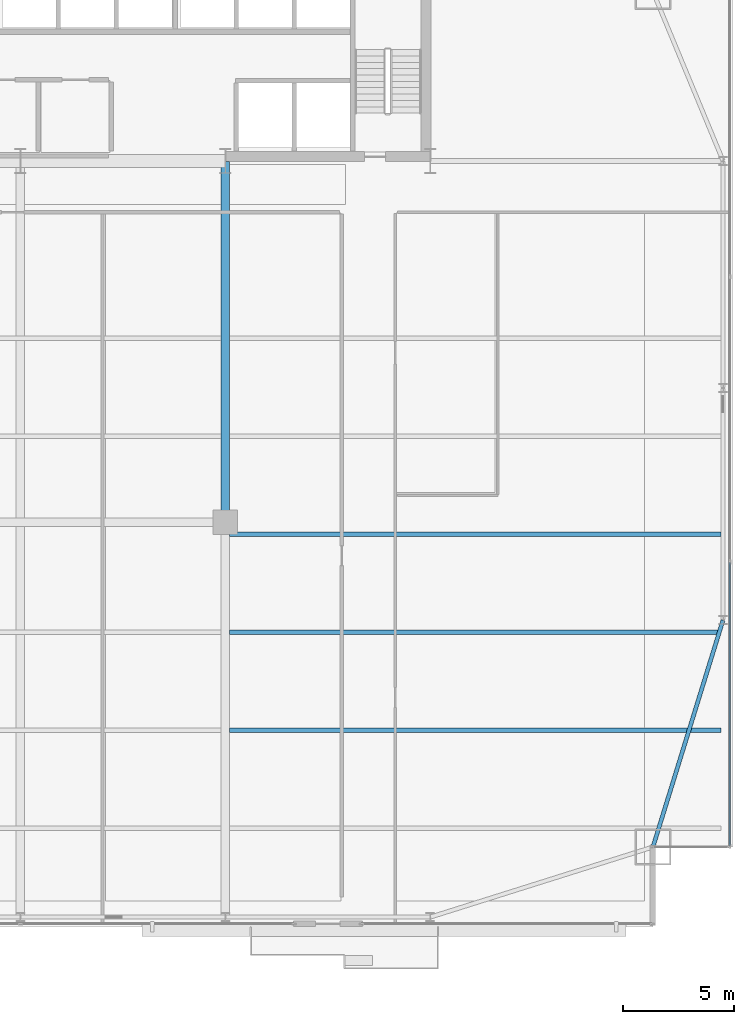
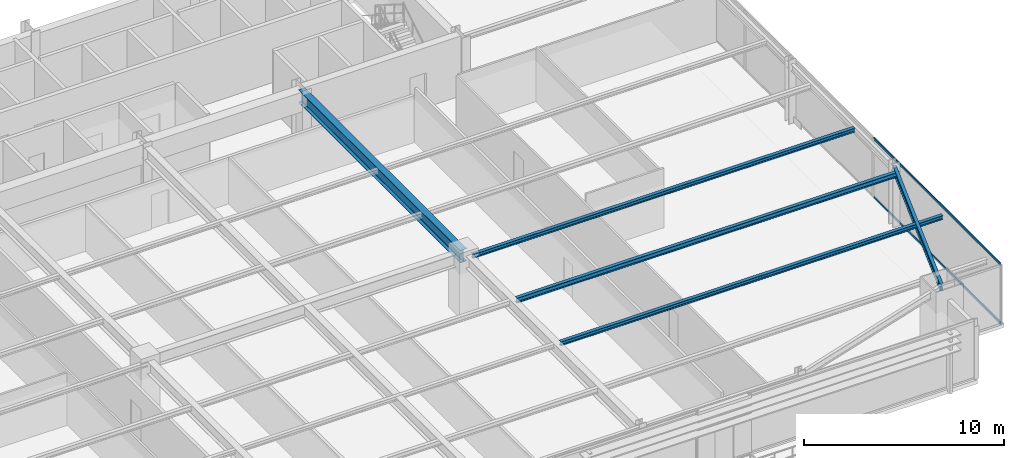
# One storey, part 15 of 31: 5 beams, 2 members, 1 element without a shape of its own.
"""IFC4 building model written with IfcOpenShell, lengths in metres."""

from ifc_helpers import new_model, si_unit, direction, frame, origin, origin_2d, place, context, subcontext, project, spatial, hollow_rectangle, i_section, extrude, source, transform, mapped, material, layer, layer_set, material_profile, profile_set, type_object, type_shapes, element, aggregate, save


model = new_model("IFC4")

# Units and contexts
model_context = context("Model", 3, precision=1e-05, world=origin(), true_north=direction((0.0, 1.0)))
body_context = subcontext(model_context, "Body", "Model", "MODEL_VIEW")
ifc_project = project(units=[si_unit("LENGTHUNIT", "METRE"), si_unit("AREAUNIT", "SQUARE_METRE"), si_unit("VOLUMEUNIT", "CUBIC_METRE"), si_unit("PLANEANGLEUNIT", "RADIAN"), si_unit("MASSUNIT", "GRAM", prefix="KILO")], contexts=[model_context])

# Site, building, storey
site_placement = place(None, origin())
site = spatial("IfcSite", under=ifc_project, at=site_placement, CompositionType="ELEMENT")
building_placement = place(site_placement, origin())
building = spatial("IfcBuilding", under=site, at=building_placement, Name="Varnel Quay Broadcast Tower", CompositionType="ELEMENT")
storey_placement = place(building_placement, frame((0.0, 0.0, 35.39990234375)))
storey = spatial("IfcBuildingStorey", under=building, at=storey_placement, Name="L07", CompositionType="ELEMENT", Elevation=35.39990234375)

# Beams
ifc_material_1 = material(Name="Structural Steel CSA G40.21 350W", Category="steel")
ifc_material_profile_1 = material_profile(ifc_material_1, i_section(OverallWidth=0.180908203125, OverallDepth=0.4169921875, WebThickness=0.010986328125, FlangeThickness=0.018310546875, FilletRadius=0.011962890625, at=origin_2d()), Name="W410X85")
ifc_profile_set_1 = profile_set([ifc_material_profile_1], Name="Structural Steel CSA G40.21 350W")
beam_type_1 = type_object("IfcBeamType", Name="Beam_W410X85", PredefinedType="SPANDREL", material=ifc_profile_set_1)
shared_shape_1 = source(origin(), body_context, "Body", "SweptSolid", [
    extrude(i_section(OverallWidth=0.180908203125, OverallDepth=0.4169921875, WebThickness=0.010986328125, FlangeThickness=0.018310546875, FilletRadius=0.011962890625, at=origin_2d()), origin(), (0.0, 0.0, 1.0), 10.635498046875),
])
type_shapes(beam_type_1, [shared_shape_1])
beam_1_placement = place(storey_placement, frame((62.406005859375, 4.819091796875, 3.441650390625), z_axis=(0.295069676324, 0.955475738108, 0.0), x_axis=(-0.955475738108, 0.295069676324, 0.0)))
element("IfcBeam", 1, at=beam_1_placement, inside=storey, type_object=beam_type_1, Name="L07 East Spandrel MC-SE-TC-E1", PredefinedType="SPANDREL", context=body_context, shape_type="MappedRepresentation", body=[
    mapped(shared_shape_1, transform((0.0, 0.0, 0.0), x_axis=(1.0, 0.0, 0.0), y_axis=(0.0, 1.0, 0.0), z_axis=(0.0, 0.0, 1.0), scale=1.0)),
])
ifc_material_profile_2 = material_profile(ifc_material_1, i_section(OverallWidth=0.381103515625, OverallDepth=0.77294921875, WebThickness=0.0166015625, FlangeThickness=0.027587890625, FilletRadius=0.01806640625, at=origin_2d()), Name="W760X257")
ifc_profile_set_2 = profile_set([ifc_material_profile_2], Name="Structural Steel CSA G40.21 350W")
beam_type_2 = type_object("IfcBeamType", Name="Girder_W760X257", PredefinedType="BEAM", material=ifc_profile_set_2)
shared_shape_2 = source(origin(), body_context, "Body", "SweptSolid", [
    extrude(i_section(OverallWidth=0.381103515625, OverallDepth=0.77294921875, WebThickness=0.0166015625, FlangeThickness=0.027587890625, FilletRadius=0.01806640625, at=origin_2d()), origin(), (0.0, 0.0, 1.0), 16.190185546875),
])
type_shapes(beam_type_2, [shared_shape_2])
beam_2_placement = place(storey_placement, frame((43.199951171875, 19.389892578125, 3.263671875), z_axis=(0.0, 1.0, 0.0), x_axis=(-1.0, 0.0, 0.0)))
element("IfcBeam", 2, at=beam_2_placement, inside=storey, type_object=beam_type_2, Name="L07 Primary Girder IC-02-CC-S4", PredefinedType="BEAM", context=body_context, shape_type="MappedRepresentation", body=[
    mapped(shared_shape_2, transform((0.0, 0.0, 0.0), x_axis=(1.0, 0.0, 0.0), y_axis=(0.0, 1.0, 0.0), z_axis=(0.0, 0.0, 1.0), scale=1.0)),
])
ifc_material_profile_3 = material_profile(ifc_material_1, i_section(OverallWidth=0.202880859375, OverallDepth=0.302978515625, WebThickness=0.007568359375, FlangeThickness=0.01318359375, FilletRadius=0.011962890625, at=origin_2d()), Name="W310X60")
ifc_profile_set_3 = profile_set([ifc_material_profile_3], Name="Structural Steel CSA G40.21 350W")
beam_type_3 = type_object("IfcBeamType", Name="Beam_W310X60", PredefinedType="JOIST", material=ifc_profile_set_3)
shared_shape_3 = source(origin(), body_context, "Body", "SweptSolid", [
    extrude(i_section(OverallWidth=0.202880859375, OverallDepth=0.302978515625, WebThickness=0.007568359375, FlangeThickness=0.01318359375, FilletRadius=0.011962890625, at=origin_2d()), origin(), (0.0, 0.0, 1.0), 22.0791015625),
])
type_shapes(beam_type_3, [shared_shape_3])
beam_3_placement = place(storey_placement, frame((43.385498046875, 14.449951171875, 3.49853515625), z_axis=(1.0, 0.0, 0.0), x_axis=(0.0, 1.0, 0.0)))
element("IfcBeam", 3, at=beam_3_placement, inside=storey, type_object=beam_type_3, Name="L07 East Floor Joist 3", PredefinedType="JOIST", context=body_context, shape_type="MappedRepresentation", body=[
    mapped(shared_shape_3, transform((0.0, 0.0, 0.0), x_axis=(1.0, 0.0, 0.0), y_axis=(0.0, 1.0, 0.0), z_axis=(0.0, 0.0, 1.0), scale=1.0)),
])
ifc_material_profile_4 = material_profile(ifc_material_1, i_section(OverallWidth=0.201904296875, OverallDepth=0.2470703125, WebThickness=0.00732421875, FlangeThickness=0.010986328125, FilletRadius=0.010986328125, at=origin_2d()), Name="W250X49")
ifc_profile_set_4 = profile_set([ifc_material_profile_4], Name="Structural Steel CSA G40.21 350W")
beam_type_4 = type_object("IfcBeamType", Name="Beam_W250X49", PredefinedType="JOIST", material=ifc_profile_set_4)
shared_shape_4 = source(origin(), body_context, "Body", "SweptSolid", [
    extrude(i_section(OverallWidth=0.201904296875, OverallDepth=0.2470703125, WebThickness=0.00732421875, FlangeThickness=0.010986328125, FilletRadius=0.010986328125, at=origin_2d()), origin(), (0.0, 0.0, 1.0), 22.0791015625),
])
type_shapes(beam_type_4, [shared_shape_4])
for number, where, z_axis, x_axis, name in (
    (4, (43.385498046875, 10.050048828125, 3.526611328125), (1.0, 0.0, 0.0), (0.0, 1.0, 0.0), "L07 East Floor Joist 2"),
    (5, (43.385498046875, 18.85009765625, 3.526611328125), (1.0, 0.0, 0.0), (0.0, 1.0, 0.0), "L07 East Floor Joist 4"),
):
    element("IfcBeam", number, at=place(storey_placement, frame(where, z_axis=z_axis, x_axis=x_axis)), inside=storey, type_object=beam_type_4, Name=name, PredefinedType="JOIST", context=body_context, shape_type="MappedRepresentation", body=[
        mapped(shared_shape_4, transform((0.0, 0.0, 0.0), x_axis=(1.0, 0.0, 0.0), y_axis=(0.0, 1.0, 0.0), z_axis=(0.0, 0.0, 1.0), scale=1.0)),
    ])

# Curtain wall, members
ifc_material_2 = material(Name="Anodised Bronze Aluminium 6063-T6", Category="aluminium")
ifc_layer = layer(ifc_material_2, 0.18994140625, Name="Anodised Bronze Aluminium 6063-T6")
ifc_layer_set = layer_set([ifc_layer], Name="Anodised Bronze Aluminium 6063-T6")
curtain_wall_type = type_object("IfcCurtainWallType", Name="CW_LowerTower", PredefinedType="NOTDEFINED", material=ifc_layer_set)
curtain_wall_placement = place(storey_placement, origin())
curtain_wall = element("IfcCurtainWall", 6, at=curtain_wall_placement, inside=storey, type_object=curtain_wall_type, Name="L07 East Unitised Curtain Wall", PredefinedType="NOTDEFINED")
ifc_material_profile_5 = material_profile(ifc_material_2, hollow_rectangle(XDim=0.06005859375, YDim=0.14501953125, WallThickness=0.00341796875, at=origin_2d()), Name="ALU60X145X3.5")
ifc_profile_set_5 = profile_set([ifc_material_profile_5], Name="Anodised Bronze Aluminium 6063-T6")
member_type = type_object("IfcMemberType", Name="Tran_CWS-02", PredefinedType="USERDEFINED", material=ifc_profile_set_5)
shared_shape_5 = source(origin(), body_context, "Body", "SweptSolid", [
    extrude(hollow_rectangle(XDim=0.06005859375, YDim=0.14501953125, WallThickness=0.00341796875, at=origin_2d()), origin(), (0.0, 0.0, 1.0), 12.69482421875),
])
type_shapes(member_type, [shared_shape_5])
member_1_placement = place(storey_placement, frame((65.85009765625, 4.8701171875, 0.030029296875), z_axis=(0.0, 1.0, 0.0), x_axis=(-1.0, 0.0, 0.0)))
member_1 = element("IfcMember", 7, at=member_1_placement, type_object=member_type, Name="CWS-02 transom 1.1", ObjectType="TRANSOM", PredefinedType="USERDEFINED", context=body_context, shape_type="MappedRepresentation", body=[
    mapped(shared_shape_5, transform((0.0, 0.0, 0.0), x_axis=(1.0, 0.0, 0.0), y_axis=(0.0, 1.0, 0.0), z_axis=(0.0, 0.0, 1.0), scale=1.0)),
])
member_2_placement = place(storey_placement, frame((65.85009765625, 4.8701171875, 3.6201171875), z_axis=(0.0, 1.0, 0.0), x_axis=(-1.0, 0.0, 0.0)))
member_2 = element("IfcMember", 8, at=member_2_placement, type_object=member_type, Name="CWS-02 transom 1.2", ObjectType="TRANSOM", PredefinedType="USERDEFINED", context=body_context, shape_type="MappedRepresentation", body=[
    mapped(shared_shape_5, transform((0.0, 0.0, 0.0), x_axis=(1.0, 0.0, 0.0), y_axis=(0.0, 1.0, 0.0), z_axis=(0.0, 0.0, 1.0), scale=1.0)),
])
aggregate(curtain_wall, [member_1, member_2])

save(model, "model.ifc")
